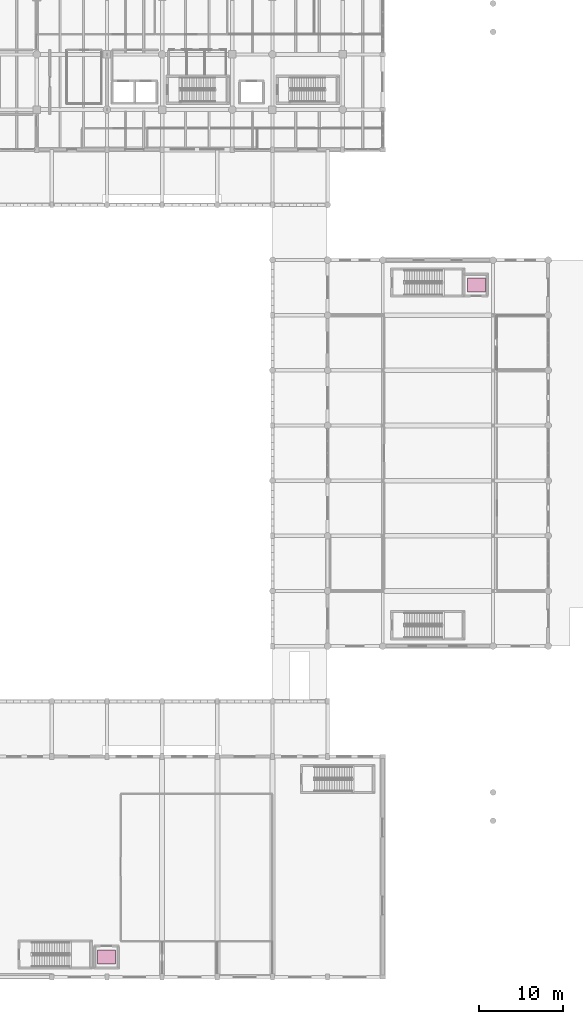
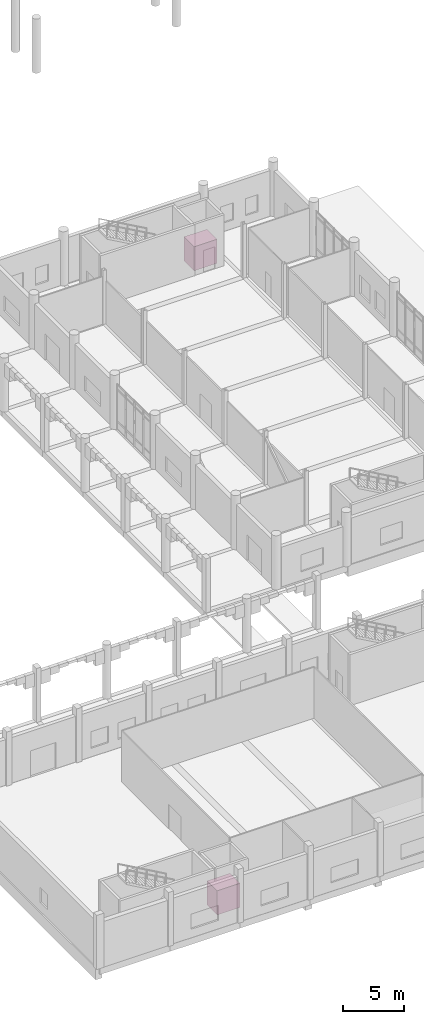
# One storey, part 72 of 72: 2 transport elements.
"""IFC4 building model written with IfcOpenShell, lengths in metres."""

from ifc_helpers import new_model, si_unit, direction, frame, origin, origin_2d, place, context, subcontext, project, spatial, rectangle, extrude, material, type_object, element, save


model = new_model("IFC4")

# Units and contexts
model_context = context("Model", 3, precision=1e-05, world=origin(), true_north=direction((0.0, 1.0)))
body_context = subcontext(model_context, "Body", "Model", "MODEL_VIEW")
ifc_project = project(units=[si_unit("LENGTHUNIT", "METRE"), si_unit("AREAUNIT", "SQUARE_METRE"), si_unit("VOLUMEUNIT", "CUBIC_METRE"), si_unit("PLANEANGLEUNIT", "RADIAN"), si_unit("MASSUNIT", "GRAM", prefix="KILO")], contexts=[model_context])

# Site, building, storey
site_placement = place(None, origin())
site = spatial("IfcSite", under=ifc_project, at=site_placement, CompositionType="ELEMENT")
building_placement = place(site_placement, origin())
building = spatial("IfcBuilding", under=site, at=building_placement, Name="Dornvale Research Institute", CompositionType="ELEMENT")
storey_placement = place(building_placement, origin())
storey = spatial("IfcBuildingStorey", under=building, at=storey_placement, Name="L00", CompositionType="ELEMENT", Elevation=0.0)

# Transport elements
ifc_material = material(Name="Stainless Steel and Laminated Safety Glass Elevator Cab", Category="steel")
transport_element_type = type_object("IfcTransportElementType", Name="Lift_Passenger_1600kg", PredefinedType="ELEVATOR", material=ifc_material)
for number, where, z_axis, x_axis, name in (
    (1, (57.39990234375, 82.800048828125, 0.0), (0.0, 0.0, 1.0), (1.0, 0.0, 0.0), "Atrium Passenger Elevator LP3"),
    (2, (13.14990234375, 2.39990234375, 0.0), (0.0, 0.0, 1.0), (1.0, 0.0, 0.0), "Auditorium Passenger Elevator LP4"),
):
    element("IfcTransportElement", number, at=place(storey_placement, frame(where, z_axis=z_axis, x_axis=x_axis)), inside=storey, type_object=transport_element_type, Name=name, PredefinedType="ELEVATOR", context=body_context, shape_type="SweptSolid", body=[
        extrude(rectangle(XDim=2.14990234375, YDim=1.64990234375, at=origin_2d()), origin(), (0.0, 0.0, 1.0), 2.39990234375),
    ])

save(model, "model.ifc")
